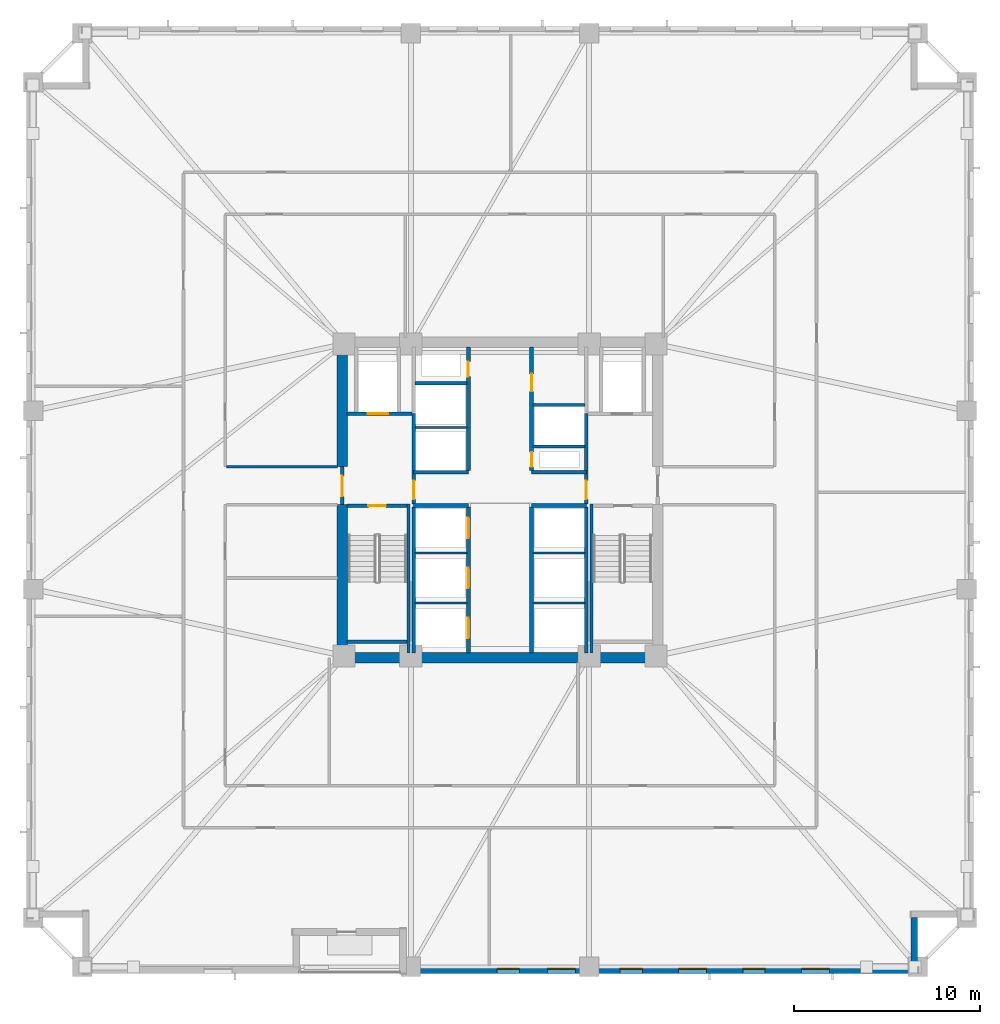
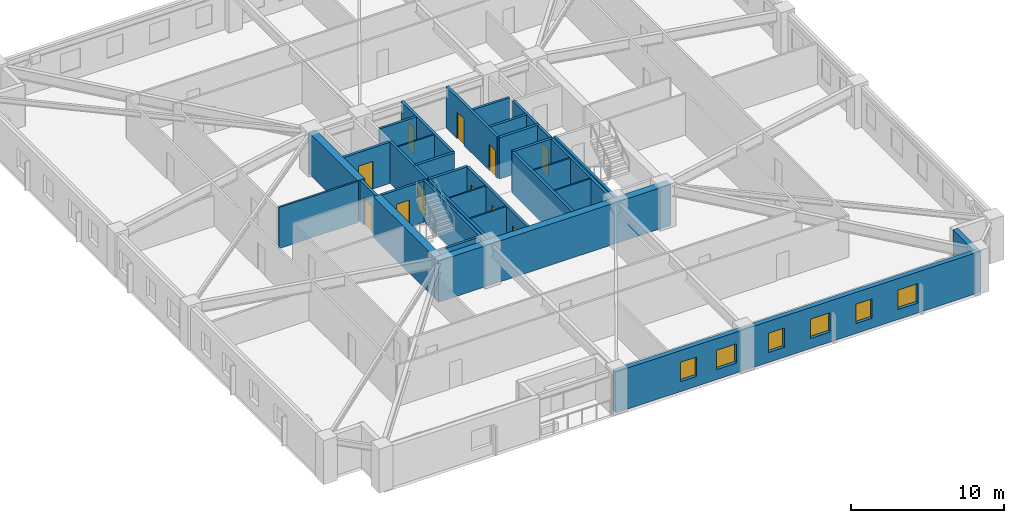
# One storey, part 3 of 10: 32 walls, 11 doors, 6 windows, 17 openings.
"""IFC4 building model written with IfcOpenShell, lengths in metres."""

import ifcopenshell
import ifcopenshell.guid

model = None  # the IFC model being written
_history = None  # IfcOwnerHistory: only IFC2X3 demands one
_inside = {}  # id of a spatial element -> (the spatial element, [elements in it])
_under = {}  # id of a project, library or spatial element -> (it, [spatial elements below it])
_declared = {}  # id of a project -> (the project, [libraries it declares])
_typed = {}  # id of a type object -> (the type object, [elements of that type])
_made_of = {}  # id of a material, layer set ... -> (it, [elements and type objects made of it])


def new_model(schema):
    """Start an empty IFC model of exactly this schema.

    Asked for "IFC4X3", IfcOpenShell would pick the latest addendum, in which some entities
    have other attributes; the version numbers below select the first issue.
    IFC2X3 requires an IfcOwnerHistory on every rooted entity: one is made here for all.
    """
    global model, _history
    if schema == "IFC4X3":
        model = ifcopenshell.file(schema_version=(4, 3, 0, 0))
    else:
        model = ifcopenshell.file(schema=schema)
    _inside.clear()
    _under.clear()
    _declared.clear()
    _typed.clear()
    _made_of.clear()
    _history = None
    if model.schema == "IFC2X3":
        org = make("IfcOrganization", Name="unknown")
        user = make(
            "IfcPersonAndOrganization",
            ThePerson=make("IfcPerson", FamilyName="unknown"),
            TheOrganization=org,
        )
        app = make(
            "IfcApplication",
            ApplicationDeveloper=org,
            Version="unknown",
            ApplicationFullName="unknown",
            ApplicationIdentifier="unknown",
        )
        _history = make(
            "IfcOwnerHistory",
            OwningUser=user,
            OwningApplication=app,
            ChangeAction="ADDED",
            CreationDate=0,
        )
    return model


def make(cls, **values):
    """One entity of the class cls with the attributes given. An attribute that is None is left unset."""
    return model.create_entity(
        cls, **{name: value for name, value in values.items() if value is not None}
    )


def rooted(cls, **values):
    """An entity with a GlobalId (a new one), such as an element, a storey or a relation."""
    return make(cls, GlobalId=ifcopenshell.guid.new(), OwnerHistory=_history, **values)


def si_unit(unit_type, name, prefix=None):
    """IfcSIUnit, for example si_unit("LENGTHUNIT", "METRE", prefix="MILLI")."""
    return make("IfcSIUnit", UnitType=unit_type, Prefix=prefix, Name=name)


def assignment(units):
    """IfcUnitAssignment: the units of a project."""
    return None if units is None else make("IfcUnitAssignment", Units=units)


def point(xyz):
    """IfcCartesianPoint."""
    return None if xyz is None else make("IfcCartesianPoint", Coordinates=xyz)


def direction(xyz):
    """IfcDirection."""
    return None if xyz is None else make("IfcDirection", DirectionRatios=xyz)


def frame(location, z_axis=None, x_axis=None):
    """IfcAxis2Placement3D, a coordinate frame: its origin and axes. An axis left out is left unset."""
    return make(
        "IfcAxis2Placement3D",
        Location=point(location),
        Axis=direction(z_axis),
        RefDirection=direction(x_axis),
    )


def frame_2d(location, x_axis=None):
    """IfcAxis2Placement2D, a coordinate frame in the plane: its origin and x axis."""
    return make(
        "IfcAxis2Placement2D", Location=point(location), RefDirection=direction(x_axis)
    )


def origin():
    """The frame at (0, 0, 0) with its axes left unset."""
    return frame((0.0, 0.0, 0.0))


def place(relative_to, where):
    """IfcLocalPlacement: puts the frame where relative to a parent placement (None: the world)."""
    return make(
        "IfcLocalPlacement", PlacementRelTo=relative_to, RelativePlacement=where
    )


def context(
    kind, dimensions, precision=None, world=None, true_north=None, identifier=None
):
    """IfcGeometricRepresentationContext, for example the 3D "Model" context."""
    return make(
        "IfcGeometricRepresentationContext",
        ContextIdentifier=identifier,
        ContextType=kind,
        CoordinateSpaceDimension=dimensions,
        Precision=precision,
        WorldCoordinateSystem=world,
        TrueNorth=true_north,
    )


def subcontext(parent, identifier, kind, view, scale=None):
    """IfcGeometricRepresentationSubContext, for example "Body" below "Model"."""
    return make(
        "IfcGeometricRepresentationSubContext",
        ContextIdentifier=identifier,
        ContextType=kind,
        ParentContext=parent,
        TargetScale=scale,
        TargetView=view,
    )


def project(units=None, contexts=None):
    """IfcProject with its units and contexts."""
    return rooted(
        "IfcProject",
        Name="project",
        RepresentationContexts=contexts,
        UnitsInContext=assignment(units),
    )


def spatial(cls, under=None, at=None, **own):
    """A site, building, storey or space (cls), placed at a placement, below another one or the project."""
    s = rooted(cls, ObjectPlacement=at, **own)
    if under is not None:
        _under.setdefault(under.id(), (under, []))[1].append(s)
    return s


def profile(cls, at=None, kind="AREA", **sizes):
    """A parametric profile (cls). Its sizes go by their IFC names, for example OverallWidth=200.0."""
    return make(cls, ProfileType=kind, Position=at, **sizes)


def rectangle(**sizes):
    """IfcRectangleProfileDef."""
    return profile("IfcRectangleProfileDef", **sizes)


def extrude(swept, where, along, depth):
    """IfcExtrudedAreaSolid: the profile swept, set in the frame where, extruded along a direction by depth."""
    return make(
        "IfcExtrudedAreaSolid",
        SweptArea=swept,
        Position=where,
        ExtrudedDirection=direction(along),
        Depth=depth,
    )


def shape(context_of_items, identifier, shape_type, items):
    """IfcShapeRepresentation: the items that make up one representation, for example the "Body"."""
    return make(
        "IfcShapeRepresentation",
        ContextOfItems=context_of_items,
        RepresentationIdentifier=identifier,
        RepresentationType=shape_type,
        Items=items,
    )


def material(Name=None, Category=None):
    """IfcMaterial."""
    return make("IfcMaterial", Name=Name, Category=Category)


def layer(
    of_material, thickness, ventilated=None, Name=None, Category=None, Priority=None
):
    """IfcMaterialLayer: one layer of a wall or slab, of a material (None: an air gap)."""
    return make(
        "IfcMaterialLayer",
        Material=of_material,
        LayerThickness=thickness,
        IsVentilated=ventilated,
        Name=Name,
        Category=Category,
        Priority=Priority,
    )


def layer_set(layers, Name=None):
    """IfcMaterialLayerSet."""
    return make("IfcMaterialLayerSet", MaterialLayers=layers, LayerSetName=Name)


def made_of(thing, what):
    """Note that an element or type object is made of a material, layer set ...; save() writes the relation."""
    if what is not None:
        _made_of.setdefault(what.id(), (what, []))[1].append(thing)
    return thing


def type_object(cls, material=None, **own):
    """A type object (cls), such as IfcWallType, which elements share."""
    return made_of(rooted(cls, **own), material)


def element(
    cls,
    number,
    at=None,
    inside=None,
    cuts=None,
    type_object=None,
    material=None,
    context=None,
    identifier="Body",
    shape_type=None,
    held_by="IfcProductDefinitionShape",
    body=None,
    shapes=None,
    **own,
):
    """One element of the class cls, such as IfcWall. Its Tag is "e" and its number.

    at: its placement. inside: the storey or other place that contains it. cuts: it is an
    opening in that element (IfcRelVoidsElement). A single representation is given by context,
    identifier, shape_type and body (its items); several are given by shapes. held_by: the class
    of the entity that holds the representations. save() writes the other relations.
    """
    e = rooted(cls, Tag="e%d" % number, ObjectPlacement=at, **own)
    if body is not None:
        shapes = [shape(context, identifier, shape_type, body)]
    if shapes is not None:
        e.Representation = make(held_by, Representations=shapes)
    if inside is not None:
        _inside.setdefault(inside.id(), (inside, []))[1].append(e)
    if cuts is not None:
        rooted(
            "IfcRelVoidsElement", RelatingBuildingElement=cuts, RelatedOpeningElement=e
        )
    if type_object is not None:
        _typed.setdefault(type_object.id(), (type_object, []))[1].append(e)
    return made_of(e, material)


def fill(opening, filler):
    """IfcRelFillsElement: the door or window that sits in an opening."""
    return rooted(
        "IfcRelFillsElement",
        RelatingOpeningElement=opening,
        RelatedBuildingElement=filler,
    )


def aggregate(whole, parts):
    """IfcRelAggregates: a whole, such as a stair, and the parts it consists of."""
    return rooted("IfcRelAggregates", RelatingObject=whole, RelatedObjects=parts)


def save(model, path):
    """Write the relations noted so far, then the file.

    IfcRelAggregates (storeys below a building ...), IfcRelContainedInSpatialStructure (elements
    in a storey), IfcRelDefinesByType, IfcRelAssociatesMaterial and IfcRelDeclares: one each for
    every whole, place, type object, material and project.
    """
    for whole, parts in _under.values():
        aggregate(whole, parts)
    for where, things in _inside.values():
        rooted(
            "IfcRelContainedInSpatialStructure",
            RelatedElements=things,
            RelatingStructure=where,
        )
    for kind, things in _typed.values():
        rooted("IfcRelDefinesByType", RelatedObjects=things, RelatingType=kind)
    for what, things in _made_of.values():
        rooted("IfcRelAssociatesMaterial", RelatedObjects=things, RelatingMaterial=what)
    for by, libraries in _declared.values():
        rooted("IfcRelDeclares", RelatingContext=by, RelatedDefinitions=libraries)
    model.write(path)


model = new_model("IFC4")

# Units and contexts
model_context = context("Model", 3, precision=1e-05, world=origin(), true_north=direction((0.0, 1.0)))
body_context = subcontext(model_context, "Body", "Model", "MODEL_VIEW")
ifc_project = project(units=[si_unit("LENGTHUNIT", "METRE"), si_unit("AREAUNIT", "SQUARE_METRE"), si_unit("VOLUMEUNIT", "CUBIC_METRE"), si_unit("PLANEANGLEUNIT", "RADIAN"), si_unit("MASSUNIT", "GRAM", prefix="KILO")], contexts=[model_context])

# Site, building, storey
site_placement = place(None, origin())
site = spatial("IfcSite", under=ifc_project, at=site_placement, CompositionType="ELEMENT")
building_placement = place(site_placement, origin())
building = spatial("IfcBuilding", under=site, at=building_placement, Name="Cairnveth Concourse Tower", CompositionType="ELEMENT")
storey_placement = place(building_placement, frame((0.0, 0.0, 30.5)))
storey = spatial("IfcBuildingStorey", under=building, at=storey_placement, Name="L07", CompositionType="ELEMENT", Elevation=30.5)

# Walls
ifc_material_1 = material(Name="Concrete N80 (80 MPa)", Category="concrete")
ifc_layer_1 = layer(ifc_material_1, 0.550048828125)
ifc_layer_set_1 = layer_set([ifc_layer_1], Name="Concrete N80 (80 MPa)")
wall_type_1 = type_object("IfcWallType", Name="CORE SHEAR WALL 550", PredefinedType="SHEAR", material=ifc_layer_set_1)
wall_1_placement = place(storey_placement, frame((43.22509765625, 30.5, 0.0), z_axis=(0.0, 0.0, 1.0), x_axis=(1.0, 0.0, 0.0)))
element("IfcWall", 1, at=wall_1_placement, inside=storey, type_object=wall_type_1, Name="Core South Shear Wall L07", PredefinedType="SHEAR", context=body_context, shape_type="SweptSolid", body=[
    extrude(rectangle(XDim=17.5498046875, YDim=0.550048828125, at=frame_2d((8.77490234375, 0.0))), origin(), (0.0, 0.0, 1.0), 3.280029296875),
])
wall_2_placement = place(storey_placement, frame((43.5, 30.764892578125, 0.0), z_axis=(0.0, 0.0, 1.0), x_axis=(0.0, 1.0, 0.0)))
element("IfcWall", 2, at=wall_2_placement, inside=storey, type_object=wall_type_1, Name="Core West Shear Wall S L07", PredefinedType="SHEAR", context=body_context, shape_type="SweptSolid", body=[
    extrude(rectangle(XDim=7.985107421875, YDim=0.550048828125, at=frame_2d((3.99267578125, 0.0))), origin(), (0.0, 0.0, 1.0), 3.280029296875),
])
wall_3_placement = place(storey_placement, frame((43.5, 40.800048828125, 0.0), z_axis=(0.0, 0.0, 1.0), x_axis=(0.0, 1.0, 0.0)))
element("IfcWall", 3, at=wall_3_placement, inside=storey, type_object=wall_type_1, Name="Core West Shear Wall N L07", PredefinedType="SHEAR", context=body_context, shape_type="SweptSolid", body=[
    extrude(rectangle(XDim=6.43505859375, YDim=0.550048828125, at=frame_2d((3.217529296875, 0.0))), origin(), (0.0, 0.0, 1.0), 3.280029296875),
])
ifc_material_2 = material(Name="Concrete N50 (50 MPa)", Category="concrete")
ifc_layer_2 = layer(ifc_material_2, 0.179931640625)
ifc_layer_set_2 = layer_set([ifc_layer_2], Name="Concrete N50 (50 MPa)")
wall_type_2 = type_object("IfcWallType", Name="FIRE SHAFT WALL 180", PredefinedType="SOLIDWALL", material=ifc_layer_set_2)
for number, where, z_axis, x_axis, name in (
    (4, (47.35009765625, 30.760009765625, 0.0), (0.0, 0.0, 1.0), (0.0, 1.0, 0.0), "Interior Wall IW-L07-025"),
    (5, (56.64990234375, 30.760009765625, 0.0), (0.0, 0.0, 1.0), (0.0, 1.0, 0.0), "Interior Wall IW-L07-028"),
):
    element("IfcWall", number, at=place(storey_placement, frame(where, z_axis=z_axis, x_axis=x_axis)), inside=storey, type_object=wall_type_2, Name=name, PredefinedType="SOLIDWALL", context=body_context, shape_type="SweptSolid", body=[
        extrude(rectangle(XDim=7.85498046875, YDim=0.179931640625, at=frame_2d((3.927490234375, 0.0))), origin(), (0.0, 0.0, 1.0), 3.280029296875),
    ])
wall_4_placement = place(storey_placement, frame((47.425048828125, 45.280029296875, 0.0), z_axis=(0.0, 0.0, 1.0), x_axis=(1.0, 0.0, 0.0)))
element("IfcWall", 6, at=wall_4_placement, inside=storey, type_object=wall_type_2, Name="Interior Wall IW-L07-033", PredefinedType="SOLIDWALL", context=body_context, shape_type="SweptSolid", body=[
    extrude(rectangle(XDim=2.7900390625, YDim=0.179931640625, at=frame_2d((1.39501953125, 0.0))), origin(), (0.0, 0.0, 1.0), 3.280029296875),
])
wall_5_placement = place(storey_placement, frame((53.784912109375, 41.8798828125, 0.0), z_axis=(0.0, 0.0, 1.0), x_axis=(1.0, 0.0, 0.0)))
element("IfcWall", 7, at=wall_5_placement, inside=storey, type_object=wall_type_2, Name="Interior Wall IW-L07-035", PredefinedType="SOLIDWALL", context=body_context, shape_type="SweptSolid", body=[
    extrude(rectangle(XDim=2.780029296875, YDim=0.179931640625, at=frame_2d((1.39013671875, 0.0))), origin(), (0.0, 0.0, 1.0), 3.280029296875),
])
wall_6_placement = place(storey_placement, frame((53.784912109375, 44.1201171875, 0.0), z_axis=(0.0, 0.0, 1.0), x_axis=(1.0, 0.0, 0.0)))
element("IfcWall", 8, at=wall_6_placement, inside=storey, type_object=wall_type_2, Name="Interior Wall IW-L07-036", PredefinedType="SOLIDWALL", context=body_context, shape_type="SweptSolid", body=[
    extrude(rectangle(XDim=2.7900390625, YDim=0.179931640625, at=frame_2d((1.39501953125, 0.0))), origin(), (0.0, 0.0, 1.0), 3.280029296875),
])

# Wall, opening, door
wall_7_placement = place(storey_placement, frame((43.764892578125, 38.68994140625, 0.0), z_axis=(0.0, 0.0, 1.0), x_axis=(1.0, 0.0, 0.0)))
wall_7 = element("IfcWall", 9, at=wall_7_placement, inside=storey, type_object=wall_type_2, Name="Stair ST-1 Shaft Wall NEAR L07", PredefinedType="SOLIDWALL", context=body_context, shape_type="SweptSolid", body=[
    extrude(rectangle(XDim=3.230224609375, YDim=0.179931640625, at=frame_2d((1.615234375, 0.0))), origin(), (0.0, 0.0, 1.0), 3.280029296875),
])
opening_1_placement = place(wall_7_placement, frame((1.139892578125, 0.0, 0.0)))
opening_1 = element("IfcOpeningElement", 10, at=opening_1_placement, cuts=wall_7, Name="Opening ID12", PredefinedType="OPENING", context=body_context, shape_type="SweptSolid", body=[
    extrude(rectangle(XDim=0.949951171875, YDim=2.14990234375, at=frame_2d((0.47509765625, 1.074951171875))), frame((0.0, 0.099853515625, 0.0), z_axis=(0.0, -1.0, 0.0), x_axis=(1.0, 0.0, 0.0)), (0.0, 0.0, 1.0), 0.199951171875),
])
ifc_material_3 = material(Name="Steel Grade 350", Category="steel")
door_type_1 = type_object("IfcDoorType", Name="FIRE STAIR DOOR 950X2150", OperationType="NOTDEFINED", PredefinedType="DOOR", material=ifc_material_3)
door_1_placement = place(opening_1_placement, origin())
door_1 = element("IfcDoor", 11, at=door_1_placement, inside=storey, type_object=door_type_1, Name="Stair ST-1 Fire Door L07", OperationType="SINGLE_SWING_LEFT", OverallHeight=2.14990234375, OverallWidth=0.949951171875, PredefinedType="DOOR", context=body_context, shape_type="SweptSolid", body=[
    extrude(rectangle(XDim=0.949951171875, YDim=2.14990234375, at=frame_2d((0.47509765625, 1.074951171875))), frame((0.0, 0.02490234375, 0.0), z_axis=(0.0, -1.0, 0.0), x_axis=(1.0, 0.0, 0.0)), (0.0, 0.0, 1.0), 0.050048828125),
])
fill(opening_1, door_1)

# Walls
wall_8_placement = place(storey_placement, frame((43.764892578125, 31.360107421875, 0.0), z_axis=(0.0, 0.0, 1.0), x_axis=(1.0, 0.0, 0.0)))
element("IfcWall", 12, at=wall_8_placement, inside=storey, type_object=wall_type_2, Name="Stair ST-1 Shaft Wall FAR L07", PredefinedType="SOLIDWALL", context=body_context, shape_type="SweptSolid", body=[
    extrude(rectangle(XDim=3.230224609375, YDim=0.179931640625, at=frame_2d((1.615234375, 0.0))), origin(), (0.0, 0.0, 1.0), 3.280029296875),
])
for number, where, z_axis, x_axis, name in (
    (13, (47.070068359375, 38.780029296875, 0.0), (0.0, 0.0, 1.0), (0.0, -1.0, 0.0), "Stair ST-1 Shaft Wall RGHT L07"),
    (14, (56.929931640625, 38.780029296875, 0.0), (0.0, 0.0, 1.0), (0.0, -1.0, 0.0), "Stair ST-2 Shaft Wall LEFT L07"),
):
    element("IfcWall", number, at=place(storey_placement, frame(where, z_axis=z_axis, x_axis=x_axis)), inside=storey, type_object=wall_type_2, Name=name, PredefinedType="SOLIDWALL", context=body_context, shape_type="SweptSolid", body=[
        extrude(rectangle(XDim=8.01708984375, YDim=0.179931640625, at=frame_2d((4.008544921875, 0.0))), origin(), (0.0, 0.0, 1.0), 3.280029296875),
    ])
ifc_layer_3 = layer(ifc_material_2, 0.199951171875)
ifc_layer_set_3 = layer_set([ifc_layer_3], Name="Concrete N50 (50 MPa)")
wall_type_3 = type_object("IfcWallType", Name="FIRE SHAFT WALL 200", PredefinedType="SOLIDWALL", material=ifc_layer_set_3)
for number, where, z_axis, x_axis, name in (
    (15, (47.35009765625, 38.699951171875, 0.0), (0.0, 0.0, 1.0), (1.0, 0.0, 0.0), "Interior Wall IW-L07-007"),
    (16, (47.35009765625, 40.5, 0.0), (0.0, 0.0, 1.0), (1.0, 0.0, 0.0), "Interior Wall IW-L07-008"),
    (17, (53.699951171875, 38.699951171875, 0.0), (0.0, 0.0, 1.0), (1.0, 0.0, 0.0), "Interior Wall IW-L07-009"),
    (18, (53.699951171875, 40.5, 0.0), (0.0, 0.0, 1.0), (1.0, 0.0, 0.0), "Interior Wall IW-L07-010"),
):
    element("IfcWall", number, at=place(storey_placement, frame(where, z_axis=z_axis, x_axis=x_axis)), inside=storey, type_object=wall_type_3, Name=name, PredefinedType="SOLIDWALL", context=body_context, shape_type="SweptSolid", body=[
        extrude(rectangle(XDim=2.949951171875, YDim=0.199951171875, at=frame_2d((1.47509765625, 0.0))), origin(), (0.0, 0.0, 1.0), 3.280029296875),
    ])

# Wall, openings, doors
wall_9_placement = place(storey_placement, frame((50.300048828125, 30.760009765625, 0.0), z_axis=(0.0, 0.0, 1.0), x_axis=(0.0, 1.0, 0.0)))
wall_9 = element("IfcWall", 19, at=wall_9_placement, inside=storey, type_object=wall_type_3, Name="Interior Wall IW-L07-011", PredefinedType="SOLIDWALL", context=body_context, shape_type="SweptSolid", body=[
    extrude(rectangle(XDim=7.85498046875, YDim=0.199951171875, at=frame_2d((3.927490234375, 0.0))), origin(), (0.0, 0.0, 1.0), 3.280029296875),
])
opening_2_placement = place(wall_9_placement, frame((0.7900390625, 0.0, 0.0)))
opening_2 = element("IfcOpeningElement", 20, at=opening_2_placement, cuts=wall_9, Name="Opening LD-1", PredefinedType="OPENING", context=body_context, shape_type="SweptSolid", body=[
    extrude(rectangle(XDim=1.10009765625, YDim=2.199951171875, at=frame_2d((0.550048828125, 1.10009765625))), frame((0.0, 0.10986328125, 0.0), z_axis=(0.0, -1.0, 0.0), x_axis=(1.0, 0.0, 0.0)), (0.0, 0.0, 1.0), 0.219970703125),
])
opening_3_placement = place(wall_9_placement, frame((3.489990234375, 0.0, 0.0)))
opening_3 = element("IfcOpeningElement", 21, at=opening_3_placement, cuts=wall_9, Name="Opening LD-1", PredefinedType="OPENING", context=body_context, shape_type="SweptSolid", body=[
    extrude(rectangle(XDim=1.10009765625, YDim=2.199951171875, at=frame_2d((0.550048828125, 1.10009765625))), frame((0.0, 0.10986328125, 0.0), z_axis=(0.0, -1.0, 0.0), x_axis=(1.0, 0.0, 0.0)), (0.0, 0.0, 1.0), 0.219970703125),
])
opening_4_placement = place(wall_9_placement, frame((6.18994140625, 0.0, 0.0)))
opening_4 = element("IfcOpeningElement", 22, at=opening_4_placement, cuts=wall_9, Name="Opening LD-1", PredefinedType="OPENING", context=body_context, shape_type="SweptSolid", body=[
    extrude(rectangle(XDim=1.10009765625, YDim=2.199951171875, at=frame_2d((0.550048828125, 1.10009765625))), frame((0.0, 0.10986328125, 0.0), z_axis=(0.0, -1.0, 0.0), x_axis=(1.0, 0.0, 0.0)), (0.0, 0.0, 1.0), 0.219970703125),
])
ifc_material_4 = material(Name="Architectural Bronze Anodised Aluminium 6063-T6", Category="aluminium")
door_type_2 = type_object("IfcDoorType", Name="LIFT LANDING DOOR 1100X2200", OperationType="SLIDING_TO_LEFT", PredefinedType="DOOR", material=ifc_material_4)
door_2_placement = place(opening_2_placement, origin())
door_2 = element("IfcDoor", 23, at=door_2_placement, inside=storey, type_object=door_type_2, Name="Lift PL1 Landing Door L07", OperationType="SLIDING_TO_LEFT", OverallHeight=2.199951171875, OverallWidth=1.10009765625, PredefinedType="DOOR", context=body_context, shape_type="SweptSolid", body=[
    extrude(rectangle(XDim=1.10009765625, YDim=2.199951171875, at=frame_2d((0.550048828125, 1.10009765625))), frame((0.0, 0.02490234375, 0.0), z_axis=(0.0, -1.0, 0.0), x_axis=(1.0, 0.0, 0.0)), (0.0, 0.0, 1.0), 0.050048828125),
])
fill(opening_2, door_2)
door_3_placement = place(opening_3_placement, origin())
door_3 = element("IfcDoor", 24, at=door_3_placement, inside=storey, type_object=door_type_2, Name="Lift PL2 Landing Door L07", OperationType="SLIDING_TO_LEFT", OverallHeight=2.199951171875, OverallWidth=1.10009765625, PredefinedType="DOOR", context=body_context, shape_type="SweptSolid", body=[
    extrude(rectangle(XDim=1.10009765625, YDim=2.199951171875, at=frame_2d((0.550048828125, 1.10009765625))), frame((0.0, 0.02490234375, 0.0), z_axis=(0.0, -1.0, 0.0), x_axis=(1.0, 0.0, 0.0)), (0.0, 0.0, 1.0), 0.050048828125),
])
fill(opening_3, door_3)
door_4_placement = place(opening_4_placement, origin())
door_4 = element("IfcDoor", 25, at=door_4_placement, inside=storey, type_object=door_type_2, Name="Lift PL3 Landing Door L07", OperationType="SLIDING_TO_LEFT", OverallHeight=2.199951171875, OverallWidth=1.10009765625, PredefinedType="DOOR", context=body_context, shape_type="SweptSolid", body=[
    extrude(rectangle(XDim=1.10009765625, YDim=2.199951171875, at=frame_2d((0.550048828125, 1.10009765625))), frame((0.0, 0.02490234375, 0.0), z_axis=(0.0, -1.0, 0.0), x_axis=(1.0, 0.0, 0.0)), (0.0, 0.0, 1.0), 0.050048828125),
])
fill(opening_4, door_4)

# Wall
wall_10_placement = place(storey_placement, frame((53.699951171875, 30.760009765625, 0.0), z_axis=(0.0, 0.0, 1.0), x_axis=(0.0, 1.0, 0.0)))
element("IfcWall", 26, at=wall_10_placement, inside=storey, type_object=wall_type_3, Name="Interior Wall IW-L07-012", PredefinedType="SOLIDWALL", context=body_context, shape_type="SweptSolid", body=[
    extrude(rectangle(XDim=7.85498046875, YDim=0.199951171875, at=frame_2d((3.927490234375, 0.0))), origin(), (0.0, 0.0, 1.0), 3.280029296875),
])

# Wall, opening, door
wall_11_placement = place(storey_placement, frame((50.300048828125, 40.5849609375, 0.0), z_axis=(0.0, 0.0, 1.0), x_axis=(0.0, 1.0, 0.0)))
wall_11 = element("IfcWall", 27, at=wall_11_placement, inside=storey, type_object=wall_type_3, Name="Interior Wall IW-L07-013", PredefinedType="SOLIDWALL", context=body_context, shape_type="SweptSolid", body=[
    extrude(rectangle(XDim=6.655029296875, YDim=0.199951171875, at=frame_2d((3.32763671875, 0.0))), origin(), (0.0, 0.0, 1.0), 3.280029296875),
])
opening_5_placement = place(wall_11_placement, frame((5.06494140625, 0.0, 0.0)))
opening_5 = element("IfcOpeningElement", 28, at=opening_5_placement, cuts=wall_11, Name="Opening ID24", PredefinedType="OPENING", context=body_context, shape_type="SweptSolid", body=[
    extrude(rectangle(XDim=0.800048828125, YDim=2.080078125, at=frame_2d((0.39990234375, 1.0400390625))), frame((0.0, 0.10986328125, 0.0), z_axis=(0.0, -1.0, 0.0), x_axis=(1.0, 0.0, 0.0)), (0.0, 0.0, 1.0), 0.219970703125),
])
door_type_3 = type_object("IfcDoorType", Name="RISER ACCESS DOOR 800X2100", OperationType="NOTDEFINED", PredefinedType="DOOR", material=ifc_material_3)
door_5_placement = place(opening_5_placement, origin())
door_5 = element("IfcDoor", 29, at=door_5_placement, inside=storey, type_object=door_type_3, Name="NW Electrical Riser Access Door L07", OperationType="SINGLE_SWING_RIGHT", OverallHeight=2.080078125, OverallWidth=0.800048828125, PredefinedType="DOOR", context=body_context, shape_type="SweptSolid", body=[
    extrude(rectangle(XDim=0.800048828125, YDim=2.080078125, at=frame_2d((0.39990234375, 1.0400390625))), frame((0.0, 0.02490234375, 0.0), z_axis=(0.0, -1.0, 0.0), x_axis=(1.0, 0.0, 0.0)), (0.0, 0.0, 1.0), 0.050048828125),
])
fill(opening_5, door_5)

# Wall, openings, doors
wall_12_placement = place(storey_placement, frame((53.699951171875, 40.5849609375, 0.0), z_axis=(0.0, 0.0, 1.0), x_axis=(0.0, 1.0, 0.0)))
wall_12 = element("IfcWall", 30, at=wall_12_placement, inside=storey, type_object=wall_type_3, Name="Interior Wall IW-L07-014", PredefinedType="SOLIDWALL", context=body_context, shape_type="SweptSolid", body=[
    extrude(rectangle(XDim=6.655029296875, YDim=0.199951171875, at=frame_2d((3.32763671875, 0.0))), origin(), (0.0, 0.0, 1.0), 3.280029296875),
])
opening_6_placement = place(wall_12_placement, frame((0.195068359375, 0.0, 0.0)))
opening_6 = element("IfcOpeningElement", 31, at=opening_6_placement, cuts=wall_12, Name="Opening ID24", PredefinedType="OPENING", context=body_context, shape_type="SweptSolid", body=[
    extrude(rectangle(XDim=0.800048828125, YDim=2.080078125, at=frame_2d((0.39990234375, 1.0400390625))), frame((0.0, 0.10986328125, 0.0), z_axis=(0.0, -1.0, 0.0), x_axis=(1.0, 0.0, 0.0)), (0.0, 0.0, 1.0), 0.219970703125),
])
opening_7_placement = place(wall_12_placement, frame((4.264892578125, 0.0, 0.0)))
opening_7 = element("IfcOpeningElement", 32, at=opening_7_placement, cuts=wall_12, Name="Opening ID25", PredefinedType="OPENING", context=body_context, shape_type="SweptSolid", body=[
    extrude(rectangle(XDim=0.949951171875, YDim=2.1201171875, at=frame_2d((0.47509765625, 1.06005859375))), frame((0.0, 0.10986328125, 0.0), z_axis=(0.0, -1.0, 0.0), x_axis=(1.0, 0.0, 0.0)), (0.0, 0.0, 1.0), 0.219970703125),
])
door_type_4 = type_object("IfcDoorType", Name="CORE ACCESSIBLE FIRE DOOR 950X2120", OperationType="NOTDEFINED", PredefinedType="DOOR", material=ifc_material_3)
door_6_placement = place(opening_7_placement, origin())
door_6 = element("IfcDoor", 33, at=door_6_placement, inside=storey, type_object=door_type_4, Name="Core NE Accessible WC Door L07", OperationType="SINGLE_SWING_RIGHT", OverallHeight=2.1201171875, OverallWidth=0.949951171875, PredefinedType="DOOR", context=body_context, shape_type="SweptSolid", body=[
    extrude(rectangle(XDim=0.949951171875, YDim=2.1201171875, at=frame_2d((0.47509765625, 1.06005859375))), frame((0.0, 0.02490234375, 0.0), z_axis=(0.0, -1.0, 0.0), x_axis=(1.0, 0.0, 0.0)), (0.0, 0.0, 1.0), 0.050048828125),
])
fill(opening_7, door_6)
door_7_placement = place(opening_6_placement, origin())
door_7 = element("IfcDoor", 34, at=door_7_placement, inside=storey, type_object=door_type_3, Name="Hydraulic Riser Door L07", OperationType="SINGLE_SWING_LEFT", OverallHeight=2.080078125, OverallWidth=0.800048828125, PredefinedType="DOOR", context=body_context, shape_type="SweptSolid", body=[
    extrude(rectangle(XDim=0.800048828125, YDim=2.080078125, at=frame_2d((0.39990234375, 1.0400390625))), frame((0.0, 0.02490234375, 0.0), z_axis=(0.0, -1.0, 0.0), x_axis=(1.0, 0.0, 0.0)), (0.0, 0.0, 1.0), 0.050048828125),
])
fill(opening_6, door_7)

# Wall, opening, door
wall_13_placement = place(storey_placement, frame((43.5, 38.75, 0.0), z_axis=(0.0, 0.0, 1.0), x_axis=(0.0, 1.0, 0.0)))
wall_13 = element("IfcWall", 35, at=wall_13_placement, inside=storey, type_object=wall_type_3, Name="Interior Wall IW-L07-015", PredefinedType="SOLIDWALL", context=body_context, shape_type="SweptSolid", body=[
    extrude(rectangle(XDim=2.050048828125, YDim=0.199951171875, at=frame_2d((1.02490234375, 0.0))), origin(), (0.0, 0.0, 1.0), 3.280029296875),
])
opening_8_placement = place(wall_13_placement, frame((0.449951171875, 0.0, 0.0)))
opening_8 = element("IfcOpeningElement", 36, at=opening_8_placement, cuts=wall_13, Name="Opening ID06", PredefinedType="OPENING", context=body_context, shape_type="SweptSolid", body=[
    extrude(rectangle(XDim=1.10009765625, YDim=2.14990234375, at=frame_2d((0.550048828125, 1.074951171875))), frame((0.0, 0.10986328125, 0.0), z_axis=(0.0, -1.0, 0.0), x_axis=(1.0, 0.0, 0.0)), (0.0, 0.0, 1.0), 0.219970703125),
])
door_type_5 = type_object("IfcDoorType", Name="FIRE CORRIDOR DOOR 1100X2150", OperationType="NOTDEFINED", PredefinedType="DOOR", material=ifc_material_3)
door_8_placement = place(opening_8_placement, origin())
door_8 = element("IfcDoor", 37, at=door_8_placement, inside=storey, type_object=door_type_5, Name="West Wing to FF Lobby Door L07", OperationType="SINGLE_SWING_LEFT", OverallHeight=2.14990234375, OverallWidth=1.10009765625, PredefinedType="DOOR", context=body_context, shape_type="SweptSolid", body=[
    extrude(rectangle(XDim=1.10009765625, YDim=2.14990234375, at=frame_2d((0.550048828125, 1.074951171875))), frame((0.0, 0.02490234375, 0.0), z_axis=(0.0, -1.0, 0.0), x_axis=(1.0, 0.0, 0.0)), (0.0, 0.0, 1.0), 0.050048828125),
])
fill(opening_8, door_8)

wall_14_placement = place(storey_placement, frame((47.35009765625, 38.784912109375, 0.0), z_axis=(0.0, 0.0, 1.0), x_axis=(0.0, 1.0, 0.0)))
wall_14 = element("IfcWall", 38, at=wall_14_placement, inside=storey, type_object=wall_type_3, Name="Interior Wall IW-L07-016", PredefinedType="SOLIDWALL", context=body_context, shape_type="SweptSolid", body=[
    extrude(rectangle(XDim=4.864990234375, YDim=0.199951171875, at=frame_2d((2.4326171875, 0.0))), origin(), (0.0, 0.0, 1.0), 3.280029296875),
])
opening_9_placement = place(wall_14_placement, frame((0.264892578125, 0.0, 0.0)))
opening_9 = element("IfcOpeningElement", 39, at=opening_9_placement, cuts=wall_14, Name="Opening ID07", PredefinedType="OPENING", context=body_context, shape_type="SweptSolid", body=[
    extrude(rectangle(XDim=1.0, YDim=2.14990234375, at=frame_2d((0.5, 1.074951171875))), frame((0.0, 0.10986328125, 0.0), z_axis=(0.0, -1.0, 0.0), x_axis=(1.0, 0.0, 0.0)), (0.0, 0.0, 1.0), 0.219970703125),
])
door_type_6 = type_object("IfcDoorType", Name="FIRE CORRIDOR DOOR 1000X2150", OperationType="NOTDEFINED", PredefinedType="DOOR", material=ifc_material_3)
door_9_placement = place(opening_9_placement, origin())
door_9 = element("IfcDoor", 40, at=door_9_placement, inside=storey, type_object=door_type_6, Name="FF Lobby West to Lift Lobby Door L07", OperationType="SINGLE_SWING_RIGHT", OverallHeight=2.14990234375, OverallWidth=1.0, PredefinedType="DOOR", context=body_context, shape_type="SweptSolid", body=[
    extrude(rectangle(XDim=1.0, YDim=2.14990234375, at=frame_2d((0.5, 1.074951171875))), frame((0.0, 0.02490234375, 0.0), z_axis=(0.0, -1.0, 0.0), x_axis=(1.0, 0.0, 0.0)), (0.0, 0.0, 1.0), 0.050048828125),
])
fill(opening_9, door_9)

wall_15_placement = place(storey_placement, frame((43.760009765625, 43.64990234375, 0.0), z_axis=(0.0, 0.0, 1.0), x_axis=(1.0, 0.0, 0.0)))
wall_15 = element("IfcWall", 41, at=wall_15_placement, inside=storey, type_object=wall_type_3, Name="Interior Wall IW-L07-017", PredefinedType="SOLIDWALL", context=body_context, shape_type="SweptSolid", body=[
    extrude(rectangle(XDim=3.5048828125, YDim=0.199951171875, at=frame_2d((1.75244140625, 0.0))), origin(), (0.0, 0.0, 1.0), 3.280029296875),
])
opening_10_placement = place(wall_15_placement, frame((1.110107421875, 0.0, 0.0)))
opening_10 = element("IfcOpeningElement", 42, at=opening_10_placement, cuts=wall_15, Name="Opening LD-1", PredefinedType="OPENING", context=body_context, shape_type="SweptSolid", body=[
    extrude(rectangle(XDim=1.10009765625, YDim=2.199951171875, at=frame_2d((0.550048828125, 1.10009765625))), frame((0.0, 0.10986328125, 0.0), z_axis=(0.0, -1.0, 0.0), x_axis=(1.0, 0.0, 0.0)), (0.0, 0.0, 1.0), 0.219970703125),
])
door_10_placement = place(opening_10_placement, origin())
door_10 = element("IfcDoor", 43, at=door_10_placement, inside=storey, type_object=door_type_2, Name="Lift FFL1 Landing Door L07", OperationType="SLIDING_TO_LEFT", OverallHeight=2.199951171875, OverallWidth=1.10009765625, PredefinedType="DOOR", context=body_context, shape_type="SweptSolid", body=[
    extrude(rectangle(XDim=1.10009765625, YDim=2.199951171875, at=frame_2d((0.550048828125, 1.10009765625))), frame((0.0, 0.02490234375, 0.0), z_axis=(0.0, -1.0, 0.0), x_axis=(1.0, 0.0, 0.0)), (0.0, 0.0, 1.0), 0.050048828125),
])
fill(opening_10, door_10)

wall_16_placement = place(storey_placement, frame((56.64990234375, 38.784912109375, 0.0), z_axis=(0.0, 0.0, 1.0), x_axis=(0.0, 1.0, 0.0)))
wall_16 = element("IfcWall", 44, at=wall_16_placement, inside=storey, type_object=wall_type_3, Name="Interior Wall IW-L07-021", PredefinedType="SOLIDWALL", context=body_context, shape_type="SweptSolid", body=[
    extrude(rectangle(XDim=4.864990234375, YDim=0.199951171875, at=frame_2d((2.4326171875, 0.0))), origin(), (0.0, 0.0, 1.0), 3.280029296875),
])
opening_11_placement = place(wall_16_placement, frame((0.264892578125, 0.0, 0.0)))
opening_11 = element("IfcOpeningElement", 45, at=opening_11_placement, cuts=wall_16, Name="Opening ID07", PredefinedType="OPENING", context=body_context, shape_type="SweptSolid", body=[
    extrude(rectangle(XDim=1.0, YDim=2.14990234375, at=frame_2d((0.5, 1.074951171875))), frame((0.0, 0.10986328125, 0.0), z_axis=(0.0, -1.0, 0.0), x_axis=(1.0, 0.0, 0.0)), (0.0, 0.0, 1.0), 0.219970703125),
])
door_11_placement = place(opening_11_placement, origin())
door_11 = element("IfcDoor", 46, at=door_11_placement, inside=storey, type_object=door_type_6, Name="FF Lobby East to Lift Lobby Door L07", OperationType="SINGLE_SWING_LEFT", OverallHeight=2.14990234375, OverallWidth=1.0, PredefinedType="DOOR", context=body_context, shape_type="SweptSolid", body=[
    extrude(rectangle(XDim=1.0, YDim=2.14990234375, at=frame_2d((0.5, 1.074951171875))), frame((0.0, 0.02490234375, 0.0), z_axis=(0.0, -1.0, 0.0), x_axis=(1.0, 0.0, 0.0)), (0.0, 0.0, 1.0), 0.050048828125),
])
fill(opening_11, door_11)

# Walls
ifc_material_5 = material(Name="Gypsum Plasterboard Partition", Category="gypsum")
ifc_layer_4 = layer(ifc_material_5, 0.139892578125)
ifc_layer_set_4 = layer_set([ifc_layer_4], Name="Gypsum Plasterboard Partition")
wall_type_4 = type_object("IfcWallType", Name="GYPSUM STUD PARTITION 140", PredefinedType="PARTITIONING", material=ifc_layer_set_4)
wall_17_placement = place(storey_placement, frame((37.2548828125, 40.800048828125, 0.0), z_axis=(0.0, 0.0, 1.0), x_axis=(1.0, 0.0, 0.0)))
element("IfcWall", 47, at=wall_17_placement, inside=storey, type_object=wall_type_4, Name="Interior Wall IW-L07-046", PredefinedType="PARTITIONING", context=body_context, shape_type="SweptSolid", body=[
    extrude(rectangle(XDim=5.985107421875, YDim=0.139892578125, at=frame_2d((2.99267578125, 0.0))), origin(), (0.0, 0.0, 1.0), 3.280029296875),
])
ifc_layer_5 = layer(ifc_material_5, 0.110107421875)
ifc_layer_set_5 = layer_set([ifc_layer_5], Name="Gypsum Plasterboard Partition")
wall_type_5 = type_object("IfcWallType", Name="SHAFT DIVIDER WALL 140", PredefinedType="PARTITIONING", material=ifc_layer_set_5)
for number, where, z_axis, x_axis, name in (
    (48, (47.425048828125, 33.449951171875, 0.0), (0.0, 0.0, 1.0), (1.0, 0.0, 0.0), "Interior Wall IW-L07-026"),
    (49, (47.425048828125, 36.14990234375, 0.0), (0.0, 0.0, 1.0), (1.0, 0.0, 0.0), "Interior Wall IW-L07-027"),
    (50, (53.784912109375, 33.449951171875, 0.0), (0.0, 0.0, 1.0), (1.0, 0.0, 0.0), "Interior Wall IW-L07-029"),
    (51, (53.784912109375, 36.14990234375, 0.0), (0.0, 0.0, 1.0), (1.0, 0.0, 0.0), "Interior Wall IW-L07-030"),
):
    element("IfcWall", number, at=place(storey_placement, frame(where, z_axis=z_axis, x_axis=x_axis)), inside=storey, type_object=wall_type_5, Name=name, PredefinedType="PARTITIONING", context=body_context, shape_type="SweptSolid", body=[
        extrude(rectangle(XDim=2.7900390625, YDim=0.110107421875, at=frame_2d((1.39501953125, 0.0))), origin(), (0.0, 0.0, 1.0), 3.280029296875),
    ])
wall_18_placement = place(storey_placement, frame((47.43505859375, 42.89990234375, 0.0), z_axis=(0.0, 0.0, 1.0), x_axis=(1.0, 0.0, 0.0)))
element("IfcWall", 52, at=wall_18_placement, inside=storey, type_object=wall_type_5, Name="Interior Wall IW-L07-032", PredefinedType="PARTITIONING", context=body_context, shape_type="SweptSolid", body=[
    extrude(rectangle(XDim=2.780029296875, YDim=0.110107421875, at=frame_2d((1.39013671875, 0.0))), origin(), (0.0, 0.0, 1.0), 3.280029296875),
])
ifc_material_6 = material(Name="Hawthorn Red-Ochre Fired Clay Brick Masonry", Category="masonry")
ifc_layer_6 = layer(ifc_material_6, 0.360107421875)
ifc_layer_set_6 = layer_set([ifc_layer_6], Name="Hawthorn Red-Ochre Fired Clay Brick Masonry")
wall_type_6 = type_object("IfcWallType", Name="ZONE 1 BRICK PIER SPANDREL WALL 360", PredefinedType="SOLIDWALL", material=ifc_layer_set_6)
wall_19_placement = place(storey_placement, frame((74.320068359375, 16.52197265625, 0.0), z_axis=(0.0, 0.0, 1.0), x_axis=(0.0, -1.0, 0.0)))
element("IfcWall", 53, at=wall_19_placement, inside=storey, type_object=wall_type_6, Name="Exterior Wall EW-L07-S11", PredefinedType="SOLIDWALL", context=body_context, shape_type="SweptSolid", body=[
    extrude(rectangle(XDim=2.68408203125, YDim=0.360107421875, at=frame_2d((1.342041015625, 0.0))), origin(), (0.0, 0.0, 1.0), 3.280029296875),
])

# Wall, openings, windows
wall_20_placement = place(storey_placement, frame((74.5, 13.679931640625, 0.0), z_axis=(0.0, 0.0, 1.0), x_axis=(-1.0, 0.0, 0.0)))
wall_20 = element("IfcWall", 54, at=wall_20_placement, inside=storey, type_object=wall_type_6, Name="Exterior Wall EW-L07-S12", PredefinedType="SOLIDWALL", context=body_context, shape_type="SweptSolid", body=[
    extrude(rectangle(XDim=27.56201171875, YDim=0.360107421875, at=frame_2d((13.781005859375, 0.0))), origin(), (0.0, 0.0, 1.0), 3.280029296875),
])
opening_12_placement = place(wall_20_placement, frame((4.755126953125, 0.0, 0.800048828125)))
opening_12 = element("IfcOpeningElement", 55, at=opening_12_placement, cuts=wall_20, Name="Opening W03", PredefinedType="OPENING", context=body_context, shape_type="SweptSolid", body=[
    extrude(rectangle(XDim=1.5, YDim=1.5439453125, at=frame_2d((0.75, 0.77197265625))), frame((0.0, 0.18994140625, 0.0), z_axis=(0.0, -1.0, 0.0), x_axis=(1.0, 0.0, 0.0)), (0.0, 0.0, 1.0), 0.380126953125),
])
opening_13_placement = place(wall_20_placement, frame((8.215576171875, 0.0, 0.800048828125)))
opening_13 = element("IfcOpeningElement", 56, at=opening_13_placement, cuts=wall_20, Name="Opening W01", PredefinedType="OPENING", context=body_context, shape_type="SweptSolid", body=[
    extrude(rectangle(XDim=1.199951171875, YDim=1.5439453125, at=frame_2d((0.60009765625, 0.77197265625))), frame((0.0, 0.18994140625, 0.0), z_axis=(0.0, -1.0, 0.0), x_axis=(1.0, 0.0, 0.0)), (0.0, 0.0, 1.0), 0.380126953125),
])
opening_14_placement = place(wall_20_placement, frame((11.375732421875, 0.0, 0.800048828125)))
opening_14 = element("IfcOpeningElement", 57, at=opening_14_placement, cuts=wall_20, Name="Opening W03", PredefinedType="OPENING", context=body_context, shape_type="SweptSolid", body=[
    extrude(rectangle(XDim=1.5, YDim=1.5439453125, at=frame_2d((0.75, 0.77197265625))), frame((0.0, 0.18994140625, 0.0), z_axis=(0.0, -1.0, 0.0), x_axis=(1.0, 0.0, 0.0)), (0.0, 0.0, 1.0), 0.380126953125),
])
opening_15_placement = place(wall_20_placement, frame((14.836181640625, 0.0, 0.800048828125)))
opening_15 = element("IfcOpeningElement", 58, at=opening_15_placement, cuts=wall_20, Name="Opening W01", PredefinedType="OPENING", context=body_context, shape_type="SweptSolid", body=[
    extrude(rectangle(XDim=1.199951171875, YDim=1.5439453125, at=frame_2d((0.60009765625, 0.77197265625))), frame((0.0, 0.18994140625, 0.0), z_axis=(0.0, -1.0, 0.0), x_axis=(1.0, 0.0, 0.0)), (0.0, 0.0, 1.0), 0.380126953125),
])
opening_16_placement = place(wall_20_placement, frame((18.446533203125, 0.0, 0.800048828125)))
opening_16 = element("IfcOpeningElement", 59, at=opening_16_placement, cuts=wall_20, Name="Opening W03", PredefinedType="OPENING", context=body_context, shape_type="SweptSolid", body=[
    extrude(rectangle(XDim=1.5, YDim=1.5439453125, at=frame_2d((0.75, 0.77197265625))), frame((0.0, 0.18994140625, 0.0), z_axis=(0.0, -1.0, 0.0), x_axis=(1.0, 0.0, 0.0)), (0.0, 0.0, 1.0), 0.380126953125),
])
opening_17_placement = place(wall_20_placement, frame((21.456787109375, 0.0, 0.800048828125)))
opening_17 = element("IfcOpeningElement", 60, at=opening_17_placement, cuts=wall_20, Name="Opening W01", PredefinedType="OPENING", context=body_context, shape_type="SweptSolid", body=[
    extrude(rectangle(XDim=1.199951171875, YDim=1.5439453125, at=frame_2d((0.60009765625, 0.77197265625))), frame((0.0, 0.18994140625, 0.0), z_axis=(0.0, -1.0, 0.0), x_axis=(1.0, 0.0, 0.0)), (0.0, 0.0, 1.0), 0.380126953125),
])
ifc_material_7 = material(Name="Double Glazed Low-E Clear Glass", Category="glass")
window_type_1 = type_object("IfcWindowType", Name="DEEP-SET GOTHIC LANCET WINDOW 1200X1800", PartitioningType="DOUBLE_PANEL_VERTICAL", PredefinedType="WINDOW", material=ifc_material_7)
window_1_placement = place(opening_13_placement, origin())
window_1 = element("IfcWindow", 61, at=window_1_placement, inside=storey, type_object=window_type_1, Name="Gothic Lancet Window L07-12-2", OverallHeight=1.5439453125, OverallWidth=1.199951171875, PartitioningType="SINGLE_PANEL", PredefinedType="WINDOW", context=body_context, shape_type="SweptSolid", body=[
    extrude(rectangle(XDim=1.199951171875, YDim=1.5439453125, at=frame_2d((0.60009765625, 0.77197265625))), frame((0.0, -0.050048828125, 0.0), z_axis=(0.0, -1.0, 0.0), x_axis=(1.0, 0.0, 0.0)), (0.0, 0.0, 1.0), 0.06005859375),
])
fill(opening_13, window_1)
window_2_placement = place(opening_15_placement, origin())
window_2 = element("IfcWindow", 62, at=window_2_placement, inside=storey, type_object=window_type_1, Name="Gothic Lancet Window L07-12-4", OverallHeight=1.5439453125, OverallWidth=1.199951171875, PartitioningType="SINGLE_PANEL", PredefinedType="WINDOW", context=body_context, shape_type="SweptSolid", body=[
    extrude(rectangle(XDim=1.199951171875, YDim=1.5439453125, at=frame_2d((0.60009765625, 0.77197265625))), frame((0.0, -0.050048828125, 0.0), z_axis=(0.0, -1.0, 0.0), x_axis=(1.0, 0.0, 0.0)), (0.0, 0.0, 1.0), 0.06005859375),
])
fill(opening_15, window_2)
window_3_placement = place(opening_17_placement, origin())
window_3 = element("IfcWindow", 63, at=window_3_placement, inside=storey, type_object=window_type_1, Name="Gothic Lancet Window L07-12-6", OverallHeight=1.5439453125, OverallWidth=1.199951171875, PartitioningType="SINGLE_PANEL", PredefinedType="WINDOW", context=body_context, shape_type="SweptSolid", body=[
    extrude(rectangle(XDim=1.199951171875, YDim=1.5439453125, at=frame_2d((0.60009765625, 0.77197265625))), frame((0.0, -0.050048828125, 0.0), z_axis=(0.0, -1.0, 0.0), x_axis=(1.0, 0.0, 0.0)), (0.0, 0.0, 1.0), 0.06005859375),
])
fill(opening_17, window_3)
window_type_2 = type_object("IfcWindowType", Name="DEEP-SET GOTHIC LANCET WINDOW 1500X1800", PartitioningType="DOUBLE_PANEL_VERTICAL", PredefinedType="WINDOW", material=ifc_material_7)
window_4_placement = place(opening_12_placement, origin())
window_4 = element("IfcWindow", 64, at=window_4_placement, inside=storey, type_object=window_type_2, Name="Gothic Lancet Window L07-12-1", OverallHeight=1.5439453125, OverallWidth=1.5, PartitioningType="SINGLE_PANEL", PredefinedType="WINDOW", context=body_context, shape_type="SweptSolid", body=[
    extrude(rectangle(XDim=1.5, YDim=1.5439453125, at=frame_2d((0.75, 0.77197265625))), frame((0.0, -0.050048828125, 0.0), z_axis=(0.0, -1.0, 0.0), x_axis=(1.0, 0.0, 0.0)), (0.0, 0.0, 1.0), 0.06005859375),
])
fill(opening_12, window_4)
window_5_placement = place(opening_14_placement, origin())
window_5 = element("IfcWindow", 65, at=window_5_placement, inside=storey, type_object=window_type_2, Name="Gothic Lancet Window L07-12-3", OverallHeight=1.5439453125, OverallWidth=1.5, PartitioningType="SINGLE_PANEL", PredefinedType="WINDOW", context=body_context, shape_type="SweptSolid", body=[
    extrude(rectangle(XDim=1.5, YDim=1.5439453125, at=frame_2d((0.75, 0.77197265625))), frame((0.0, -0.050048828125, 0.0), z_axis=(0.0, -1.0, 0.0), x_axis=(1.0, 0.0, 0.0)), (0.0, 0.0, 1.0), 0.06005859375),
])
fill(opening_14, window_5)
window_6_placement = place(opening_16_placement, origin())
window_6 = element("IfcWindow", 66, at=window_6_placement, inside=storey, type_object=window_type_2, Name="Gothic Lancet Window L07-12-5", OverallHeight=1.5439453125, OverallWidth=1.5, PartitioningType="SINGLE_PANEL", PredefinedType="WINDOW", context=body_context, shape_type="SweptSolid", body=[
    extrude(rectangle(XDim=1.5, YDim=1.5439453125, at=frame_2d((0.75, 0.77197265625))), frame((0.0, -0.050048828125, 0.0), z_axis=(0.0, -1.0, 0.0), x_axis=(1.0, 0.0, 0.0)), (0.0, 0.0, 1.0), 0.06005859375),
])
fill(opening_16, window_6)

save(model, "model.ifc")
